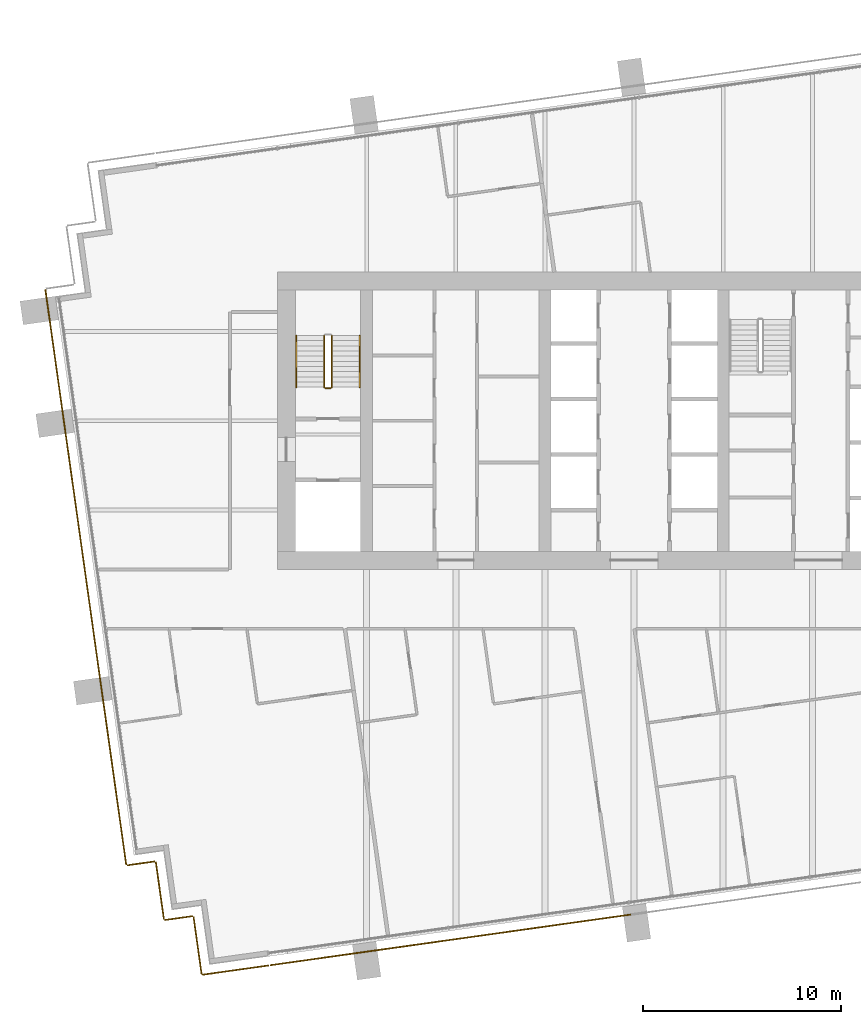
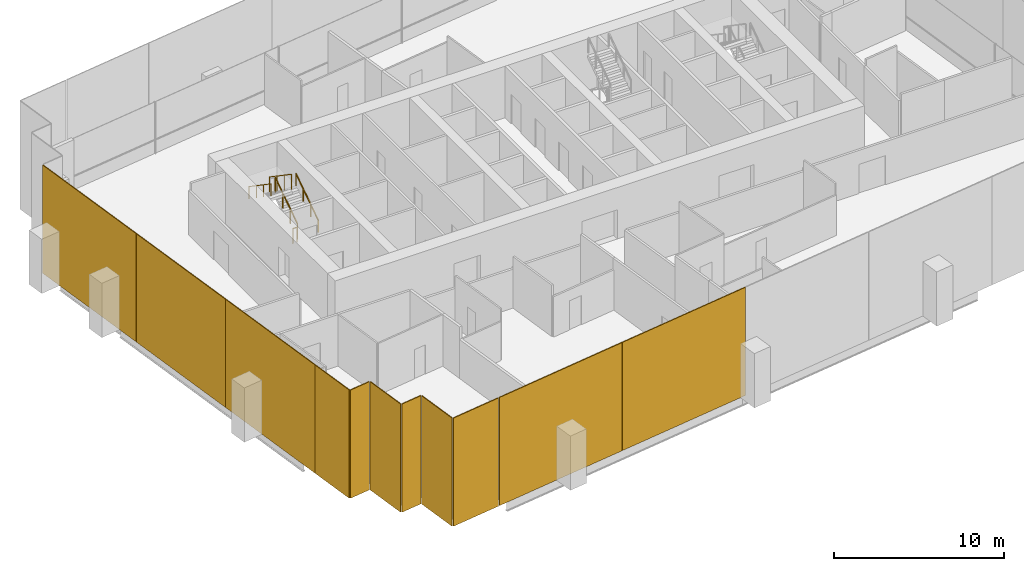
# One storey, part 13 of 17: 11 coverings, 5 railings.
"""IFC4 building model written with IfcOpenShell, lengths in metres."""

from ifc_helpers import new_model, si_unit, direction, frame, origin, origin_2d, place, context, subcontext, project, spatial, rectangle, extrude, material, layer, layer_set, type_object, element, save


model = new_model("IFC4")

# Units and contexts
model_context = context("Model", 3, precision=1e-05, world=origin(), true_north=direction((0.0, 1.0)))
body_context = subcontext(model_context, "Body", "Model", "MODEL_VIEW")
ifc_project = project(units=[si_unit("LENGTHUNIT", "METRE"), si_unit("AREAUNIT", "SQUARE_METRE"), si_unit("VOLUMEUNIT", "CUBIC_METRE"), si_unit("PLANEANGLEUNIT", "RADIAN"), si_unit("MASSUNIT", "GRAM", prefix="KILO")], contexts=[model_context])

# Site, building, storey
site_placement = place(None, origin())
site = spatial("IfcSite", under=ifc_project, at=site_placement, CompositionType="ELEMENT")
building_placement = place(site_placement, origin())
building = spatial("IfcBuilding", under=site, at=building_placement, Name="Rattan Terrace Tower", CompositionType="ELEMENT")
storey_placement = place(building_placement, frame((0.0, 0.0, 168.5)))
storey = spatial("IfcBuildingStorey", under=building, at=storey_placement, Name="L38", CompositionType="ELEMENT", Elevation=168.5)

# Railings
ifc_material_1 = material(Name="Powder-coated steel guard", Category="steel")
railing_type_1 = type_object("IfcRailingType", Name="Core stair guard", PredefinedType="GUARDRAIL", material=ifc_material_1)
railing_1_placement = place(storey_placement, frame((-15.25, 1.699951171875, 0.17724609375)))
element("IfcRailing", 1, at=railing_1_placement, inside=storey, type_object=railing_type_1, Name="L38 S1 stair guard 1", PredefinedType="GUARDRAIL", context=body_context, shape_type="SweptSolid", body=[
    extrude(rectangle(XDim=0.048095703125, YDim=0.048095703125, at=origin_2d()), frame((0.0, 0.0, 1.076171875), z_axis=(0.0, 0.826240473404, 0.563317565952), x_axis=(-1.0, 0.0, 0.0)), (0.0, 0.0, 1.0), 3.14697265625),
    extrude(rectangle(XDim=0.0419921875, YDim=0.0419921875, at=origin_2d()), origin(), (0.0, 0.0, 1.0), 1.052001953125),
    extrude(rectangle(XDim=0.0419921875, YDim=0.0419921875, at=origin_2d()), frame((0.0, 0.86669921875, 0.5908203125)), (0.0, 0.0, 1.0), 1.052001953125),
    extrude(rectangle(XDim=0.0419921875, YDim=0.0419921875, at=origin_2d()), frame((0.0, 1.7333984375, 1.181884765625)), (0.0, 0.0, 1.0), 1.052001953125),
    extrude(rectangle(XDim=0.0419921875, YDim=0.0419921875, at=origin_2d()), frame((0.0, 2.60009765625, 1.772705078125)), (0.0, 0.0, 1.0), 1.052001953125),
])
railing_2_placement = place(storey_placement, frame((-15.64990234375, 4.300048828125, 2.127197265625)))
element("IfcRailing", 2, at=railing_2_placement, inside=storey, type_object=railing_type_1, Name="L38 S1 stair guard 3", PredefinedType="GUARDRAIL", context=body_context, shape_type="SweptSolid", body=[
    extrude(rectangle(XDim=0.048095703125, YDim=0.048095703125, at=origin_2d()), frame((0.0, 0.0, 1.076171875), z_axis=(0.0, -0.826240473404, 0.563317565952), x_axis=(1.0, 0.0, 0.0)), (0.0, 0.0, 1.0), 3.14697265625),
    extrude(rectangle(XDim=0.0419921875, YDim=0.0419921875, at=origin_2d()), origin(), (0.0, 0.0, 1.0), 1.052001953125),
    extrude(rectangle(XDim=0.0419921875, YDim=0.0419921875, at=origin_2d()), frame((0.0, -0.86669921875, 0.5908203125)), (0.0, 0.0, 1.0), 1.052001953125),
    extrude(rectangle(XDim=0.0419921875, YDim=0.0419921875, at=origin_2d()), frame((0.0, -1.7333984375, 1.181884765625)), (0.0, 0.0, 1.0), 1.052001953125),
    extrude(rectangle(XDim=0.0419921875, YDim=0.0419921875, at=origin_2d()), frame((0.0, -2.60009765625, 1.772705078125)), (0.0, 0.0, 1.0), 1.052001953125),
])
railing_3_placement = place(storey_placement, frame((-15.300048828125, 1.64990234375, 0.0)))
element("IfcRailing", 3, at=railing_3_placement, inside=storey, type_object=railing_type_1, Name="L38 S1 stair guard 4", PredefinedType="GUARDRAIL", context=body_context, shape_type="SweptSolid", body=[
    extrude(rectangle(XDim=0.048095703125, YDim=0.048095703125, at=origin_2d()), frame((0.0, 0.0, 1.076171875), z_axis=(-1.0, 0.0, 0.0), x_axis=(0.0, -1.0, 0.0)), (0.0, 0.0, 1.0), 0.300048828125),
    extrude(rectangle(XDim=0.0419921875, YDim=0.0419921875, at=origin_2d()), origin(), (0.0, 0.0, 1.0), 1.052001953125),
    extrude(rectangle(XDim=0.0419921875, YDim=0.0419921875, at=origin_2d()), frame((-0.300048828125, 0.0, 0.0)), (0.0, 0.0, 1.0), 1.052001953125),
])
ifc_material_2 = material(Name="Powder-coated steel handrail", Category="steel")
railing_type_2 = type_object("IfcRailingType", Name="Core stair handrail", PredefinedType="HANDRAIL", material=ifc_material_2)
railing_4_placement = place(storey_placement, frame((-13.85009765625, 1.699951171875, 0.17724609375)))
element("IfcRailing", 4, at=railing_4_placement, inside=storey, type_object=railing_type_2, Name="L38 S1 stair handrail 1", PredefinedType="HANDRAIL", context=body_context, shape_type="SweptSolid", body=[
    extrude(rectangle(XDim=0.048095703125, YDim=0.048095703125, at=origin_2d()), frame((0.0, 0.0, 0.8759765625), z_axis=(0.0, 0.826240473404, 0.563317565952), x_axis=(-1.0, 0.0, 0.0)), (0.0, 0.0, 1.0), 3.14697265625),
    extrude(rectangle(XDim=0.0419921875, YDim=0.0419921875, at=origin_2d()), origin(), (0.0, 0.0, 1.0), 0.851806640625),
    extrude(rectangle(XDim=0.0419921875, YDim=0.0419921875, at=origin_2d()), frame((0.0, 0.86669921875, 0.5908203125)), (0.0, 0.0, 1.0), 0.851806640625),
    extrude(rectangle(XDim=0.0419921875, YDim=0.0419921875, at=origin_2d()), frame((0.0, 1.7333984375, 1.181884765625)), (0.0, 0.0, 1.0), 0.851806640625),
    extrude(rectangle(XDim=0.0419921875, YDim=0.0419921875, at=origin_2d()), frame((0.0, 2.60009765625, 1.772705078125)), (0.0, 0.0, 1.0), 0.851806640625),
])
railing_5_placement = place(storey_placement, frame((-17.050048828125, 4.300048828125, 2.127197265625)))
element("IfcRailing", 5, at=railing_5_placement, inside=storey, type_object=railing_type_2, Name="L38 S1 stair handrail 2", PredefinedType="HANDRAIL", context=body_context, shape_type="SweptSolid", body=[
    extrude(rectangle(XDim=0.048095703125, YDim=0.048095703125, at=origin_2d()), frame((0.0, 0.0, 0.8759765625), z_axis=(0.0, -0.826240473404, 0.563317565952), x_axis=(1.0, 0.0, 0.0)), (0.0, 0.0, 1.0), 3.14697265625),
    extrude(rectangle(XDim=0.0419921875, YDim=0.0419921875, at=origin_2d()), origin(), (0.0, 0.0, 1.0), 0.851806640625),
    extrude(rectangle(XDim=0.0419921875, YDim=0.0419921875, at=origin_2d()), frame((0.0, -0.86669921875, 0.5908203125)), (0.0, 0.0, 1.0), 0.851806640625),
    extrude(rectangle(XDim=0.0419921875, YDim=0.0419921875, at=origin_2d()), frame((0.0, -1.7333984375, 1.181884765625)), (0.0, 0.0, 1.0), 0.851806640625),
    extrude(rectangle(XDim=0.0419921875, YDim=0.0419921875, at=origin_2d()), frame((0.0, -2.60009765625, 1.772705078125)), (0.0, 0.0, 1.0), 0.851806640625),
])

# Coverings
ifc_material_3 = material(Name="Perforated terracotta", Category="masonry")
ifc_layer = layer(ifc_material_3, 0.06005859375)
ifc_layer_set = layer_set([ifc_layer], Name="Facade Terracotta Screen Panel")
covering_type = type_object("IfcCoveringType", Name="Facade Terracotta Screen Panel", PredefinedType="CLADDING", material=ifc_layer_set)
covering_1_placement = place(storey_placement, frame((-29.095703125, 2.19580078125, -0.18994140625), z_axis=(0.0, 0.0, 1.0), x_axis=(0.139190856006, -0.99026557327, 0.0)))
element("IfcCovering", 6, at=covering_1_placement, inside=storey, type_object=covering_type, Name="OUTER SKIN panel L38-25", PredefinedType="CLADDING", context=body_context, shape_type="SweptSolid", body=[
    extrude(rectangle(XDim=8.949951171875, YDim=0.06005859375, at=origin_2d()), origin(), (0.0, 0.0, 1.0), 7.780029296875),
])
for number, where, z_axis, x_axis, name in (
    (7, (-27.87646484375, -6.478759765625, -0.18994140625), (0.0, 0.0, 1.0), (0.139190856006, -0.99026557327, 0.0), "OUTER SKIN panel L38-26"),
    (8, (-26.6865234375, -14.945556640625, -0.18994140625), (0.0, 0.0, 1.0), (0.139190856006, -0.99026557327, 0.0), "OUTER SKIN panel L38-27"),
):
    element("IfcCovering", number, at=place(storey_placement, frame(where, z_axis=z_axis, x_axis=x_axis)), inside=storey, type_object=covering_type, Name=name, PredefinedType="CLADDING", context=body_context, shape_type="SweptSolid", body=[
        extrude(rectangle(XDim=8.530029296875, YDim=0.06005859375, at=origin_2d()), origin(), (0.0, 0.0, 1.0), 7.780029296875),
    ])
covering_2_placement = place(storey_placement, frame((-25.86376953125, -20.79833984375, -0.18994140625), z_axis=(0.0, 0.0, 1.0), x_axis=(0.139190856006, -0.99026557327, 0.0)))
element("IfcCovering", 9, at=covering_2_placement, inside=storey, type_object=covering_type, Name="OUTER SKIN panel L38-28", PredefinedType="CLADDING", context=body_context, shape_type="SweptSolid", body=[
    extrude(rectangle(XDim=3.25048828125, YDim=0.06005859375, at=origin_2d()), origin(), (0.0, 0.0, 1.0), 7.780029296875),
])
covering_3_placement = place(storey_placement, frame((-24.889404296875, -22.3427734375, -0.18994140625), z_axis=(0.0, 0.0, 1.0), x_axis=(0.990240767803, 0.139367219175, 0.0)))
element("IfcCovering", 10, at=covering_3_placement, inside=storey, type_object=covering_type, Name="OUTER SKIN panel L38-29", PredefinedType="CLADDING", context=body_context, shape_type="SweptSolid", body=[
    extrude(rectangle(XDim=1.419677734375, YDim=0.06005859375, at=origin_2d()), origin(), (0.0, 0.0, 1.0), 7.780029296875),
])
covering_4_placement = place(storey_placement, frame((-23.93798828125, -23.723876953125, -0.18994140625), z_axis=(0.0, 0.0, 1.0), x_axis=(0.139321220646, -0.990247240581, 0.0)))
element("IfcCovering", 11, at=covering_4_placement, inside=storey, type_object=covering_type, Name="OUTER SKIN panel L38-30", PredefinedType="CLADDING", context=body_context, shape_type="SweptSolid", body=[
    extrude(rectangle(XDim=2.920166015625, YDim=0.06005859375, at=origin_2d()), origin(), (0.0, 0.0, 1.0), 7.780029296875),
])
covering_5_placement = place(storey_placement, frame((-22.986328125, -25.104736328125, -0.18994140625), z_axis=(0.0, 0.0, 1.0), x_axis=(0.990240767803, 0.139367219175, 0.0)))
element("IfcCovering", 12, at=covering_5_placement, inside=storey, type_object=covering_type, Name="OUTER SKIN panel L38-31", PredefinedType="CLADDING", context=body_context, shape_type="SweptSolid", body=[
    extrude(rectangle(XDim=1.419677734375, YDim=0.06005859375, at=origin_2d()), origin(), (0.0, 0.0, 1.0), 7.780029296875),
])
covering_6_placement = place(storey_placement, frame((-22.034912109375, -26.48583984375, -0.18994140625), z_axis=(0.0, 0.0, 1.0), x_axis=(0.139321220646, -0.990247240581, 0.0)))
element("IfcCovering", 13, at=covering_6_placement, inside=storey, type_object=covering_type, Name="OUTER SKIN panel L38-32", PredefinedType="CLADDING", context=body_context, shape_type="SweptSolid", body=[
    extrude(rectangle(XDim=2.920166015625, YDim=0.06005859375, at=origin_2d()), origin(), (0.0, 0.0, 1.0), 7.780029296875),
])
covering_7_placement = place(storey_placement, frame((-20.1181640625, -27.73095703125, -0.18994140625), z_axis=(0.0, 0.0, 1.0), x_axis=(0.990240767803, 0.139367219175, 0.0)))
element("IfcCovering", 14, at=covering_7_placement, inside=storey, type_object=covering_type, Name="OUTER SKIN panel L38-33", PredefinedType="CLADDING", context=body_context, shape_type="SweptSolid", body=[
    extrude(rectangle(XDim=3.369140625, YDim=0.06005859375, at=origin_2d()), origin(), (0.0, 0.0, 1.0), 7.780029296875),
])
covering_8_placement = place(storey_placement, frame((-13.833740234375, -26.847412109375, -0.18994140625), z_axis=(0.0, 0.0, 1.0), x_axis=(0.990269702686, 0.139161474347, 0.0)))
element("IfcCovering", 15, at=covering_8_placement, inside=storey, type_object=covering_type, Name="OUTER SKIN panel L38-34", PredefinedType="CLADDING", context=body_context, shape_type="SweptSolid", body=[
    extrude(rectangle(XDim=9.162841796875, YDim=0.06005859375, at=origin_2d()), origin(), (0.0, 0.0, 1.0), 7.780029296875),
])
covering_9_placement = place(storey_placement, frame((-4.725341796875, -25.5673828125, -0.18994140625), z_axis=(0.0, 0.0, 1.0), x_axis=(0.990269702686, 0.139161474347, 0.0)))
element("IfcCovering", 16, at=covering_9_placement, inside=storey, type_object=covering_type, Name="OUTER SKIN panel L38-35", PredefinedType="CLADDING", context=body_context, shape_type="SweptSolid", body=[
    extrude(rectangle(XDim=9.193115234375, YDim=0.06005859375, at=origin_2d()), origin(), (0.0, 0.0, 1.0), 7.780029296875),
])

save(model, "model.ifc")
